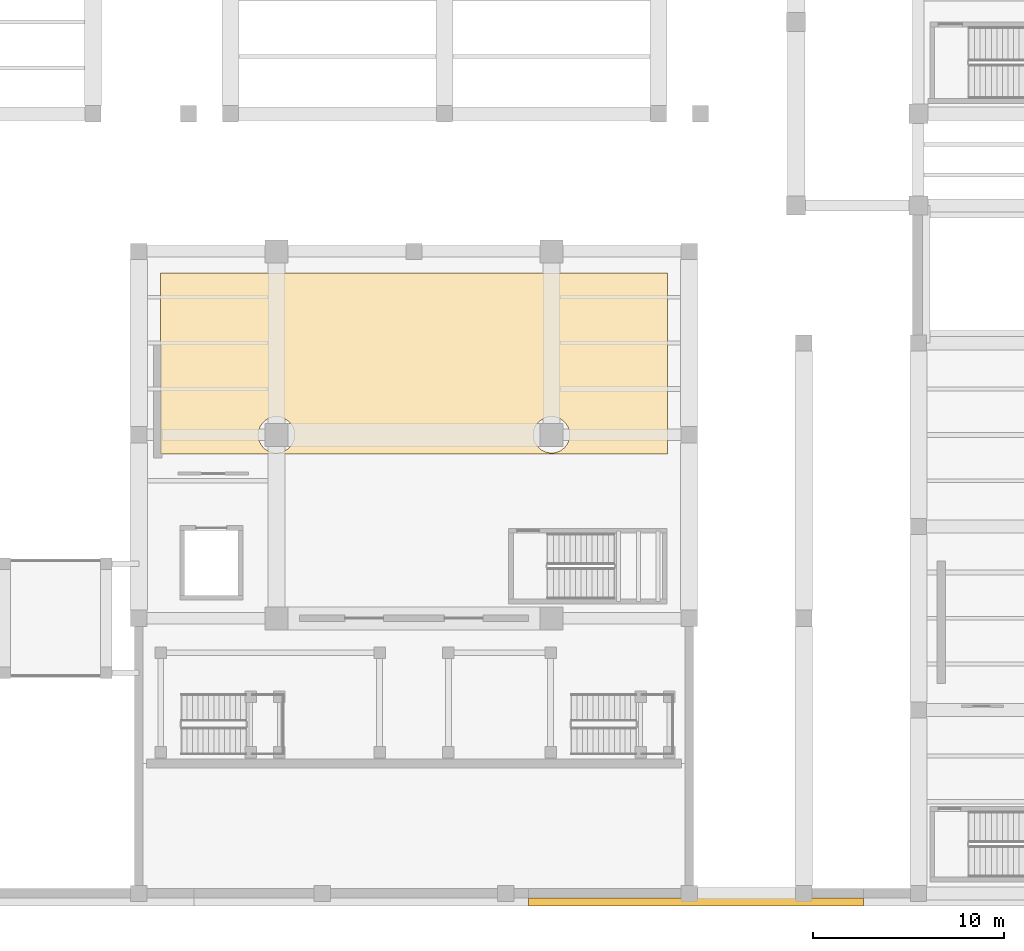
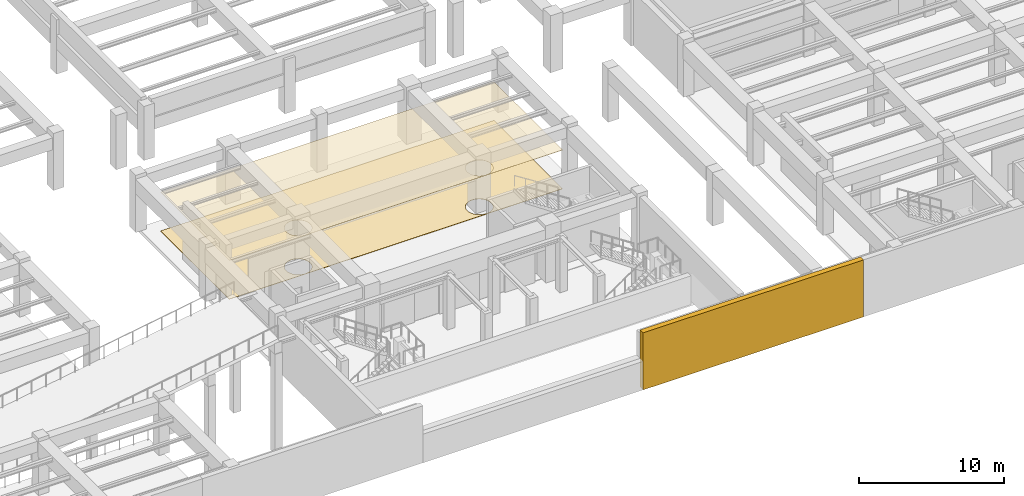
# One storey, part 37 of 45: 3 coverings.
"""IFC4 building model written with IfcOpenShell, lengths in metres."""

from ifc_helpers import new_model, si_unit, direction, frame, origin, place, context, subcontext, project, spatial, polyline, outline, extrude, material, layer, layer_set, type_object, element, save


model = new_model("IFC4")

# Units and contexts
model_context = context("Model", 3, precision=1e-05, world=origin(), true_north=direction((0.0, 1.0)))
body_context = subcontext(model_context, "Body", "Model", "MODEL_VIEW")
ifc_project = project(units=[si_unit("LENGTHUNIT", "METRE"), si_unit("AREAUNIT", "SQUARE_METRE"), si_unit("VOLUMEUNIT", "CUBIC_METRE"), si_unit("PLANEANGLEUNIT", "RADIAN"), si_unit("MASSUNIT", "GRAM", prefix="KILO")], contexts=[model_context])

# Site, building, storey
site_placement = place(None, origin())
site = spatial("IfcSite", under=ifc_project, at=site_placement, CompositionType="ELEMENT")
building_placement = place(site_placement, origin())
building = spatial("IfcBuilding", under=site, at=building_placement, Name="Mavantir Sound Aquarium", CompositionType="ELEMENT")
storey_placement = place(building_placement, frame((0.0, 0.0, -4.800048828125)))
storey = spatial("IfcBuildingStorey", under=building, at=storey_placement, Name="B1", CompositionType="ELEMENT", Elevation=-4.800048828125)

# Coverings
ifc_material_1 = material(Name="Moisture-Resistant Acoustic Mineral Fibre Tile")
ifc_layer_1 = layer(ifc_material_1, 0.02490234375, Name="Moisture-Resistant Acoustic Mineral Fibre Tile")
ifc_layer_set_1 = layer_set([ifc_layer_1], Name="Moisture-Resistant Acoustic Mineral Fibre Tile")
covering_type_1 = type_object("IfcCoveringType", Name="COV-CEIL-AC", PredefinedType="CEILING", material=ifc_layer_set_1)
covering_1_placement = place(storey_placement, frame((0.0, 0.0, 3.27099609375)))
element("IfcCovering", 1, at=covering_1_placement, inside=storey, type_object=covering_type_1, Name="B1 Sunken Metro Forecourt Ticketing and Orientation Concourse suspended acoustic ceiling", PredefinedType="CEILING", context=body_context, shape_type="SweptSolid", body=[
    extrude(outline(polyline([(94.860107421875, 32.4599609375), (94.860107421875, 23.0), (68.340087890625, 23.0), (68.340087890625, 32.4599609375), (94.860107421875, 32.4599609375)]), holes=[polyline([(75.134521484375, 23.397216796875), (75.18994140625, 23.47216796875), (75.23779296875, 23.55224609375), (75.277587890625, 23.636474609375), (75.30908203125, 23.72412109375), (75.331787109375, 23.814697265625), (75.345458984375, 23.906982421875), (75.35009765625, 24.0), (75.345458984375, 24.093017578125), (75.331787109375, 24.185302734375), (75.30908203125, 24.27587890625), (75.277587890625, 24.363525390625), (75.23779296875, 24.44775390625), (75.18994140625, 24.52783203125), (75.134521484375, 24.602783203125), (75.07177734375, 24.671875), (75.002685546875, 24.734375), (74.927734375, 24.789794921875), (74.847900390625, 24.837890625), (74.763427734375, 24.877685546875), (74.67578125, 24.9091796875), (74.585205078125, 24.931640625), (74.4931640625, 24.9453125), (74.39990234375, 24.949951171875), (74.306884765625, 24.9453125), (74.214599609375, 24.931640625), (74.124267578125, 24.9091796875), (74.03662109375, 24.877685546875), (73.9521484375, 24.837890625), (73.872314453125, 24.789794921875), (73.79736328125, 24.734375), (73.728271484375, 24.671875), (73.66552734375, 24.602783203125), (73.610107421875, 24.52783203125), (73.562255859375, 24.44775390625), (73.522216796875, 24.363525390625), (73.490966796875, 24.27587890625), (73.46826171875, 24.185302734375), (73.45458984375, 24.093017578125), (73.449951171875, 24.0), (73.45458984375, 23.906982421875), (73.46826171875, 23.814697265625), (73.490966796875, 23.72412109375), (73.522216796875, 23.636474609375), (73.562255859375, 23.55224609375), (73.610107421875, 23.47216796875), (73.66552734375, 23.397216796875), (73.728271484375, 23.328125), (73.79736328125, 23.265625), (73.872314453125, 23.210205078125), (73.9521484375, 23.162109375), (74.03662109375, 23.122314453125), (74.124267578125, 23.0908203125), (74.214599609375, 23.068359375), (74.306884765625, 23.0546875), (74.39990234375, 23.050048828125), (74.4931640625, 23.0546875), (74.585205078125, 23.068359375), (74.67578125, 23.0908203125), (74.763427734375, 23.122314453125), (74.847900390625, 23.162109375), (74.927734375, 23.210205078125), (75.002685546875, 23.265625), (75.07177734375, 23.328125), (75.134521484375, 23.397216796875)]), polyline([(89.4716796875, 23.328125), (89.534423828125, 23.397216796875), (89.58984375, 23.47216796875), (89.6376953125, 23.55224609375), (89.677734375, 23.636474609375), (89.708984375, 23.72412109375), (89.731689453125, 23.814697265625), (89.745361328125, 23.906982421875), (89.75, 24.0), (89.745361328125, 24.093017578125), (89.731689453125, 24.185302734375), (89.708984375, 24.27587890625), (89.677734375, 24.363525390625), (89.6376953125, 24.44775390625), (89.58984375, 24.52783203125), (89.534423828125, 24.602783203125), (89.4716796875, 24.671875), (89.402587890625, 24.734375), (89.327880859375, 24.789794921875), (89.247802734375, 24.837890625), (89.16357421875, 24.877685546875), (89.07568359375, 24.9091796875), (88.9853515625, 24.931640625), (88.89306640625, 24.9453125), (88.800048828125, 24.949951171875), (88.706787109375, 24.9453125), (88.61474609375, 24.931640625), (88.524169921875, 24.9091796875), (88.4365234375, 24.877685546875), (88.352294921875, 24.837890625), (88.272216796875, 24.789794921875), (88.197265625, 24.734375), (88.128173828125, 24.671875), (88.065673828125, 24.602783203125), (88.010009765625, 24.52783203125), (87.962158203125, 24.44775390625), (87.92236328125, 24.363525390625), (87.890869140625, 24.27587890625), (87.868408203125, 24.185302734375), (87.8544921875, 24.093017578125), (87.85009765625, 24.0), (87.8544921875, 23.906982421875), (87.868408203125, 23.814697265625), (87.890869140625, 23.72412109375), (87.92236328125, 23.636474609375), (87.962158203125, 23.55224609375), (88.010009765625, 23.47216796875), (88.065673828125, 23.397216796875), (88.128173828125, 23.328125), (88.197265625, 23.265625), (88.272216796875, 23.210205078125), (88.352294921875, 23.162109375), (88.4365234375, 23.122314453125), (88.524169921875, 23.0908203125), (88.61474609375, 23.068359375), (88.706787109375, 23.0546875), (88.800048828125, 23.050048828125), (88.89306640625, 23.0546875), (88.9853515625, 23.068359375), (89.07568359375, 23.0908203125), (89.16357421875, 23.122314453125), (89.247802734375, 23.162109375), (89.327880859375, 23.210205078125), (89.402587890625, 23.265625), (89.4716796875, 23.328125)])]), origin(), (0.0, 0.0, 1.0), 0.025146484375),
])
ifc_material_2 = material(Name="Honed Coral-Limestone & Glazed Terracotta Rainscreen Cladding", Category="masonry")
ifc_layer_2 = layer(ifc_material_2, 0.06005859375, Name="Honed Coral-Limestone & Glazed Terracotta Rainscreen Cladding")
ifc_layer_set_2 = layer_set([ifc_layer_2], Name="Honed Coral-Limestone & Glazed Terracotta Rainscreen Cladding")
covering_type_2 = type_object("IfcCoveringType", Name="COV-CLAD-TC", PredefinedType="CLADDING", material=ifc_layer_set_2)
covering_2_placement = place(storey_placement, origin())
element("IfcCovering", 2, at=covering_2_placement, inside=storey, type_object=covering_type_2, Name="B1 rusticated coral-stone plinth cladding 48", PredefinedType="CLADDING", context=body_context, shape_type="SweptSolid", body=[
    extrude(outline(polyline([(87.60009765625, -0.25), (105.1201171875, -0.25), (105.1201171875, -0.659912109375), (87.60009765625, -0.659912109375), (87.60009765625, -0.25)])), origin(), (0.0, 0.0, 1.0), 4.800048828125),
])
ifc_material_3 = material(Name="Marine Epoxy Recycled-Shell Terrazzo Flooring")
ifc_layer_3 = layer(ifc_material_3, 0.030029296875, Name="Marine Epoxy Recycled-Shell Terrazzo Flooring")
ifc_layer_set_3 = layer_set([ifc_layer_3], Name="Marine Epoxy Recycled-Shell Terrazzo Flooring")
covering_type_3 = type_object("IfcCoveringType", Name="COV-FLR-TZ", PredefinedType="FLOORING", material=ifc_layer_set_3)
covering_3_placement = place(storey_placement, origin())
element("IfcCovering", 3, at=covering_3_placement, inside=storey, type_object=covering_type_3, Name="B1 Sunken Metro Forecourt Ticketing and Orientation Concourse terrazzo flooring", PredefinedType="FLOORING", context=body_context, shape_type="SweptSolid", body=[
    extrude(outline(polyline([(94.860107421875, 32.4599609375), (94.860107421875, 23.0), (68.340087890625, 23.0), (68.340087890625, 32.4599609375), (94.860107421875, 32.4599609375)]), holes=[polyline([(75.134521484375, 23.397216796875), (75.18994140625, 23.47216796875), (75.23779296875, 23.55224609375), (75.277587890625, 23.636474609375), (75.30908203125, 23.72412109375), (75.331787109375, 23.814697265625), (75.345458984375, 23.906982421875), (75.35009765625, 24.0), (75.345458984375, 24.093017578125), (75.331787109375, 24.185302734375), (75.30908203125, 24.27587890625), (75.277587890625, 24.363525390625), (75.23779296875, 24.44775390625), (75.18994140625, 24.52783203125), (75.134521484375, 24.602783203125), (75.07177734375, 24.671875), (75.002685546875, 24.734375), (74.927734375, 24.789794921875), (74.847900390625, 24.837890625), (74.763427734375, 24.877685546875), (74.67578125, 24.9091796875), (74.585205078125, 24.931640625), (74.4931640625, 24.9453125), (74.39990234375, 24.949951171875), (74.306884765625, 24.9453125), (74.214599609375, 24.931640625), (74.124267578125, 24.9091796875), (74.03662109375, 24.877685546875), (73.9521484375, 24.837890625), (73.872314453125, 24.789794921875), (73.79736328125, 24.734375), (73.728271484375, 24.671875), (73.66552734375, 24.602783203125), (73.610107421875, 24.52783203125), (73.562255859375, 24.44775390625), (73.522216796875, 24.363525390625), (73.490966796875, 24.27587890625), (73.46826171875, 24.185302734375), (73.45458984375, 24.093017578125), (73.449951171875, 24.0), (73.45458984375, 23.906982421875), (73.46826171875, 23.814697265625), (73.490966796875, 23.72412109375), (73.522216796875, 23.636474609375), (73.562255859375, 23.55224609375), (73.610107421875, 23.47216796875), (73.66552734375, 23.397216796875), (73.728271484375, 23.328125), (73.79736328125, 23.265625), (73.872314453125, 23.210205078125), (73.9521484375, 23.162109375), (74.03662109375, 23.122314453125), (74.124267578125, 23.0908203125), (74.214599609375, 23.068359375), (74.306884765625, 23.0546875), (74.39990234375, 23.050048828125), (74.4931640625, 23.0546875), (74.585205078125, 23.068359375), (74.67578125, 23.0908203125), (74.763427734375, 23.122314453125), (74.847900390625, 23.162109375), (74.927734375, 23.210205078125), (75.002685546875, 23.265625), (75.07177734375, 23.328125), (75.134521484375, 23.397216796875)]), polyline([(89.4716796875, 23.328125), (89.534423828125, 23.397216796875), (89.58984375, 23.47216796875), (89.6376953125, 23.55224609375), (89.677734375, 23.636474609375), (89.708984375, 23.72412109375), (89.731689453125, 23.814697265625), (89.745361328125, 23.906982421875), (89.75, 24.0), (89.745361328125, 24.093017578125), (89.731689453125, 24.185302734375), (89.708984375, 24.27587890625), (89.677734375, 24.363525390625), (89.6376953125, 24.44775390625), (89.58984375, 24.52783203125), (89.534423828125, 24.602783203125), (89.4716796875, 24.671875), (89.402587890625, 24.734375), (89.327880859375, 24.789794921875), (89.247802734375, 24.837890625), (89.16357421875, 24.877685546875), (89.07568359375, 24.9091796875), (88.9853515625, 24.931640625), (88.89306640625, 24.9453125), (88.800048828125, 24.949951171875), (88.706787109375, 24.9453125), (88.61474609375, 24.931640625), (88.524169921875, 24.9091796875), (88.4365234375, 24.877685546875), (88.352294921875, 24.837890625), (88.272216796875, 24.789794921875), (88.197265625, 24.734375), (88.128173828125, 24.671875), (88.065673828125, 24.602783203125), (88.010009765625, 24.52783203125), (87.962158203125, 24.44775390625), (87.92236328125, 24.363525390625), (87.890869140625, 24.27587890625), (87.868408203125, 24.185302734375), (87.8544921875, 24.093017578125), (87.85009765625, 24.0), (87.8544921875, 23.906982421875), (87.868408203125, 23.814697265625), (87.890869140625, 23.72412109375), (87.92236328125, 23.636474609375), (87.962158203125, 23.55224609375), (88.010009765625, 23.47216796875), (88.065673828125, 23.397216796875), (88.128173828125, 23.328125), (88.197265625, 23.265625), (88.272216796875, 23.210205078125), (88.352294921875, 23.162109375), (88.4365234375, 23.122314453125), (88.524169921875, 23.0908203125), (88.61474609375, 23.068359375), (88.706787109375, 23.0546875), (88.800048828125, 23.050048828125), (88.89306640625, 23.0546875), (88.9853515625, 23.068359375), (89.07568359375, 23.0908203125), (89.16357421875, 23.122314453125), (89.247802734375, 23.162109375), (89.327880859375, 23.210205078125), (89.402587890625, 23.265625), (89.4716796875, 23.328125)])]), origin(), (0.0, 0.0, 1.0), 0.030029296875),
])

save(model, "model.ifc")
